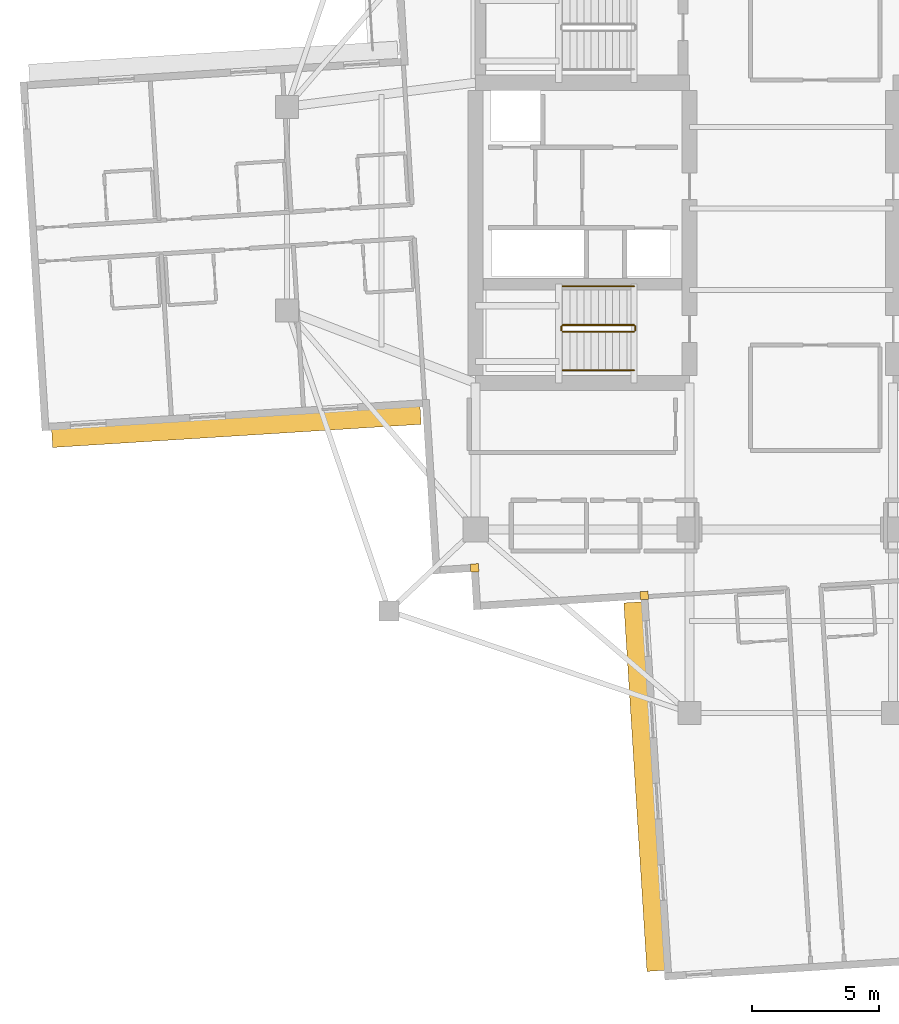
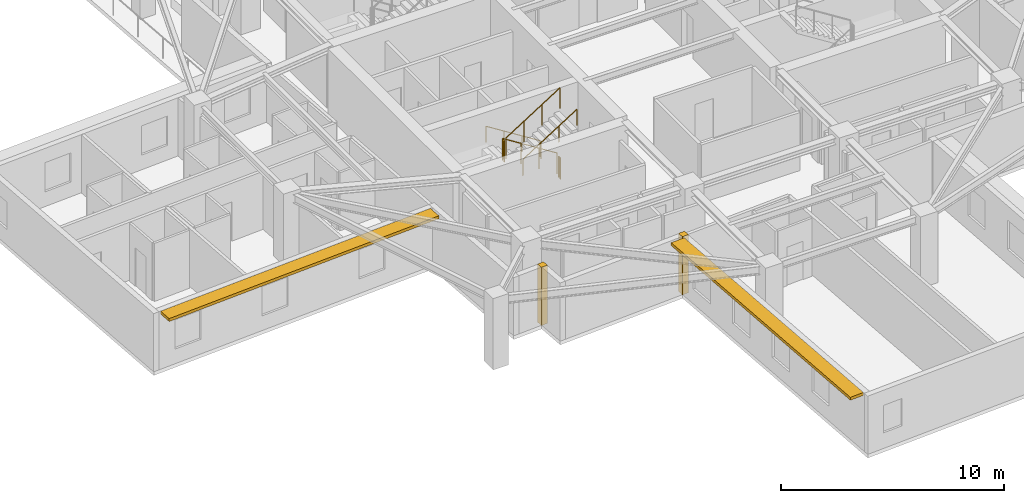
# One storey, part 10 of 13: 6 railings, 2 coverings, 2 shading devices.
"""IFC4 building model written with IfcOpenShell, lengths in metres."""

from ifc_helpers import new_model, si_unit, direction, frame, origin, origin_2d, place, context, subcontext, project, spatial, rectangle, circle, extrude, material, layer, layer_set, type_object, element, save


model = new_model("IFC4")

# Units and contexts
model_context = context("Model", 3, precision=1e-05, world=origin(), true_north=direction((0.0, 1.0)))
body_context = subcontext(model_context, "Body", "Model", "MODEL_VIEW")
ifc_project = project(units=[si_unit("LENGTHUNIT", "METRE"), si_unit("AREAUNIT", "SQUARE_METRE"), si_unit("VOLUMEUNIT", "CUBIC_METRE"), si_unit("PLANEANGLEUNIT", "RADIAN"), si_unit("MASSUNIT", "GRAM", prefix="KILO")], contexts=[model_context])

# Site, building, storey
site_placement = place(None, origin())
site = spatial("IfcSite", under=ifc_project, at=site_placement, CompositionType="ELEMENT")
building_placement = place(site_placement, origin())
building = spatial("IfcBuilding", under=site, at=building_placement, Name="Qingluan Cross Belvedere", CompositionType="ELEMENT")
storey_placement = place(building_placement, frame((0.0, 0.0, 201.300048828125)))
storey = spatial("IfcBuildingStorey", under=building, at=storey_placement, Name="L50", CompositionType="ELEMENT", Elevation=201.300048828125)

# Coverings
ifc_material_1 = material(Name="Precast concrete C45", Category="concrete")
ifc_layer_1 = layer(ifc_material_1, 0.1201171875, Name="ConcreteSpandrelCladding_120")
ifc_layer_set_1 = layer_set([ifc_layer_1], Name="Precast concrete C45")
covering_type = type_object("IfcCoveringType", Name="ConcreteSpandrelCladding_120", PredefinedType="CLADDING", material=ifc_layer_set_1)
for number, where, z_axis, x_axis, name in (
    (1, (-12.438720703125, -14.10888671875, 0.0), (0.0, 0.0, 1.0), (0.998026728428, 0.062790519529, 0.0), "Corner closure L50-SW1"),
    (2, (-5.77734375, -15.192626953125, 0.0), (0.0, 0.0, 1.0), (0.998026728428, 0.062790519529, 0.0), "Corner closure L50-SW2"),
):
    element("IfcCovering", number, at=place(storey_placement, frame(where, z_axis=z_axis, x_axis=x_axis)), inside=storey, type_object=covering_type, Name=name, PredefinedType="CLADDING", context=body_context, shape_type="SweptSolid", body=[
        extrude(rectangle(XDim=0.320068359375, YDim=0.320068359375, at=origin_2d()), origin(), (0.0, 0.0, 1.0), 3.179931640625),
    ])

# Shading devices
ifc_material_2 = material(Name="Precast concrete C45", Category="concrete")
ifc_layer_2 = layer(ifc_material_2, 0.139892578125, Name="ConcreteSunshadeBand_700")
ifc_layer_set_2 = layer_set([ifc_layer_2], Name="Precast concrete C45")
shading_device_type = type_object("IfcShadingDeviceType", Name="ConcreteSunshadeBand_700", PredefinedType="USERDEFINED", material=ifc_layer_set_2)
for number, where, z_axis, x_axis, name in (
    (3, (-21.794677734375, -8.575439453125, 3.0), (0.0, 0.0, 1.0), (0.99802639199, 0.062795866837, 0.0), "Concrete SUNSHADE L50-WB"),
    (4, (-5.776123046875, -22.697509765625, 3.0), (0.0, 0.0, 1.0), (0.062789090939, -0.998026818306, 0.0), "Concrete SUNSHADE L50-SA"),
):
    element("IfcShadingDevice", number, at=place(storey_placement, frame(where, z_axis=z_axis, x_axis=x_axis)), inside=storey, type_object=shading_device_type, Name=name, ObjectType="SUNSHADE", PredefinedType="USERDEFINED", context=body_context, shape_type="SweptSolid", body=[
        extrude(rectangle(XDim=14.5, YDim=0.699951171875, at=origin_2d()), origin(), (0.0, 0.0, 1.0), 0.159912109375),
    ])

# Railings
ifc_material_3 = material(Name="Brushed stainless steel tubular handrail", Category="steel")
railing_type_1 = type_object("IfcRailingType", Name="StairPitchHandrail_900", PredefinedType="HANDRAIL", material=ifc_material_3)
railing_1_placement = place(storey_placement, frame((-6.179931640625, -3.050048828125, 0.17724609375)))
element("IfcRailing", 5, at=railing_1_placement, inside=storey, type_object=railing_type_1, Name="L50 ST1 stair handrail 1", PredefinedType="HANDRAIL", context=body_context, shape_type="SweptSolid", body=[
    extrude(circle(Radius=0.02392578125, at=origin_2d()), frame((0.0, 0.0, 0.8759765625), z_axis=(-0.844908973607, 0.0, 0.534910110503), x_axis=(0.0, -1.0, 0.0)), (0.0, 0.0, 1.0), 3.31396484375),
    extrude(circle(Radius=0.02099609375, at=origin_2d()), origin(), (0.0, 0.0, 1.0), 0.851806640625),
    extrude(circle(Radius=0.02099609375, at=origin_2d()), frame((-0.933349609375, 0.0, 0.5908203125)), (0.0, 0.0, 1.0), 0.851806640625),
    extrude(circle(Radius=0.02099609375, at=origin_2d()), frame((-1.86669921875, 0.0, 1.181884765625)), (0.0, 0.0, 1.0), 0.851806640625),
    extrude(circle(Radius=0.02099609375, at=origin_2d()), frame((-2.800048828125, 0.0, 1.772705078125)), (0.0, 0.0, 1.0), 0.851806640625),
])
railing_2_placement = place(storey_placement, frame((-8.97998046875, -6.35009765625, 2.127197265625)))
element("IfcRailing", 6, at=railing_2_placement, inside=storey, type_object=railing_type_1, Name="L50 ST1 stair handrail 2", PredefinedType="HANDRAIL", context=body_context, shape_type="SweptSolid", body=[
    extrude(circle(Radius=0.02392578125, at=origin_2d()), frame((0.0, 0.0, 0.8759765625), z_axis=(0.844908973607, 0.0, 0.534910110503), x_axis=(0.0, 1.0, 0.0)), (0.0, 0.0, 1.0), 3.31396484375),
    extrude(circle(Radius=0.02099609375, at=origin_2d()), origin(), (0.0, 0.0, 1.0), 0.851806640625),
    extrude(circle(Radius=0.02099609375, at=origin_2d()), frame((0.933349609375, 0.0, 0.5908203125)), (0.0, 0.0, 1.0), 0.851806640625),
    extrude(circle(Radius=0.02099609375, at=origin_2d()), frame((1.86669921875, 0.0, 1.181884765625)), (0.0, 0.0, 1.0), 0.851806640625),
    extrude(circle(Radius=0.02099609375, at=origin_2d()), frame((2.800048828125, 0.0, 1.772705078125)), (0.0, 0.0, 1.0), 0.851806640625),
])
ifc_material_4 = material(Name="Painted steel stair well guard", Category="steel")
railing_type_2 = type_object("IfcRailingType", Name="StairWellGuard_1150", PredefinedType="BALUSTRADE", material=ifc_material_4)
railing_3_placement = place(storey_placement, frame((-6.179931640625, -4.570068359375, 0.17724609375)))
element("IfcRailing", 7, at=railing_3_placement, inside=storey, type_object=railing_type_2, Name="L50 ST1 stair guard 1", PredefinedType="BALUSTRADE", context=body_context, shape_type="SweptSolid", body=[
    extrude(circle(Radius=0.02392578125, at=origin_2d()), frame((0.0, 0.0, 1.1259765625), z_axis=(-0.844908973607, 0.0, 0.534910110503), x_axis=(0.0, -1.0, 0.0)), (0.0, 0.0, 1.0), 3.31396484375),
    extrude(circle(Radius=0.02099609375, at=origin_2d()), origin(), (0.0, 0.0, 1.0), 1.101806640625),
    extrude(circle(Radius=0.02099609375, at=origin_2d()), frame((-0.933349609375, 0.0, 0.5908203125)), (0.0, 0.0, 1.0), 1.101806640625),
    extrude(circle(Radius=0.02099609375, at=origin_2d()), frame((-1.86669921875, 0.0, 1.181884765625)), (0.0, 0.0, 1.0), 1.101806640625),
    extrude(circle(Radius=0.02099609375, at=origin_2d()), frame((-2.800048828125, 0.0, 1.772705078125)), (0.0, 0.0, 1.0), 1.101806640625),
])
railing_4_placement = place(storey_placement, frame((-9.030029296875, -4.6201171875, 1.949951171875)))
element("IfcRailing", 8, at=railing_4_placement, inside=storey, type_object=railing_type_2, Name="L50 ST1 stair guard 2", PredefinedType="BALUSTRADE", context=body_context, shape_type="SweptSolid", body=[
    extrude(circle(Radius=0.02392578125, at=origin_2d()), frame((0.0, 0.0, 1.1259765625), z_axis=(0.0, -1.0, 0.0), x_axis=(1.0, 0.0, 0.0)), (0.0, 0.0, 1.0), 0.159912109375),
    extrude(circle(Radius=0.02099609375, at=origin_2d()), origin(), (0.0, 0.0, 1.0), 1.101806640625),
    extrude(circle(Radius=0.02099609375, at=origin_2d()), frame((0.0, -0.159912109375, 0.0)), (0.0, 0.0, 1.0), 1.101806640625),
])
railing_5_placement = place(storey_placement, frame((-8.97998046875, -4.830078125, 2.127197265625)))
element("IfcRailing", 9, at=railing_5_placement, inside=storey, type_object=railing_type_2, Name="L50 ST1 stair guard 3", PredefinedType="BALUSTRADE", context=body_context, shape_type="SweptSolid", body=[
    extrude(circle(Radius=0.02392578125, at=origin_2d()), frame((0.0, 0.0, 1.1259765625), z_axis=(0.844908973607, 0.0, 0.534910110503), x_axis=(0.0, 1.0, 0.0)), (0.0, 0.0, 1.0), 3.31396484375),
    extrude(circle(Radius=0.02099609375, at=origin_2d()), origin(), (0.0, 0.0, 1.0), 1.101806640625),
    extrude(circle(Radius=0.02099609375, at=origin_2d()), frame((0.933349609375, 0.0, 0.5908203125)), (0.0, 0.0, 1.0), 1.101806640625),
    extrude(circle(Radius=0.02099609375, at=origin_2d()), frame((1.86669921875, 0.0, 1.181884765625)), (0.0, 0.0, 1.0), 1.101806640625),
    extrude(circle(Radius=0.02099609375, at=origin_2d()), frame((2.800048828125, 0.0, 1.772705078125)), (0.0, 0.0, 1.0), 1.101806640625),
])
railing_6_placement = place(storey_placement, frame((-6.1298828125, -4.6201171875, 0.0)))
element("IfcRailing", 10, at=railing_6_placement, inside=storey, type_object=railing_type_2, Name="L50 ST1 stair guard 4", PredefinedType="BALUSTRADE", context=body_context, shape_type="SweptSolid", body=[
    extrude(circle(Radius=0.02392578125, at=origin_2d()), frame((0.0, 0.0, 1.1259765625), z_axis=(0.0, -1.0, 0.0), x_axis=(1.0, 0.0, 0.0)), (0.0, 0.0, 1.0), 0.159912109375),
    extrude(circle(Radius=0.02099609375, at=origin_2d()), origin(), (0.0, 0.0, 1.0), 1.101806640625),
    extrude(circle(Radius=0.02099609375, at=origin_2d()), frame((0.0, -0.159912109375, 0.0)), (0.0, 0.0, 1.0), 1.101806640625),
])

save(model, "model.ifc")
